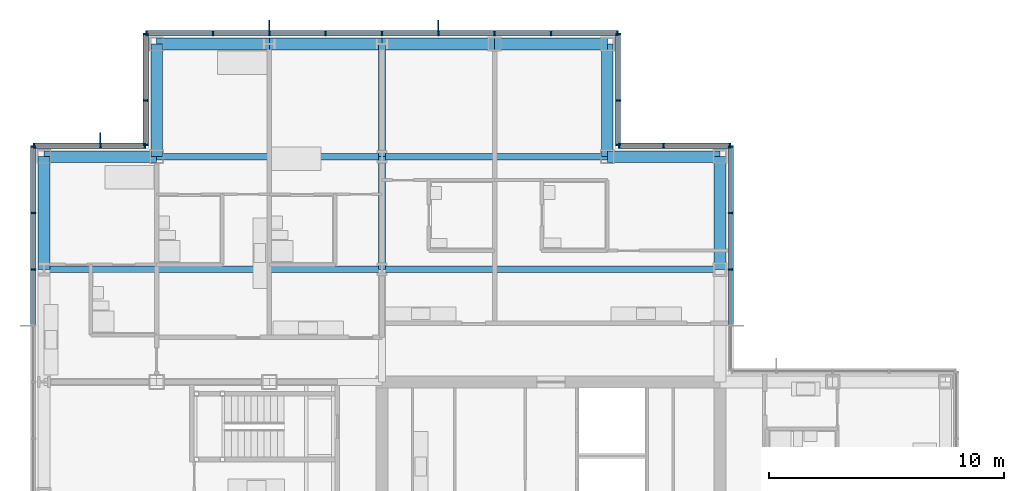
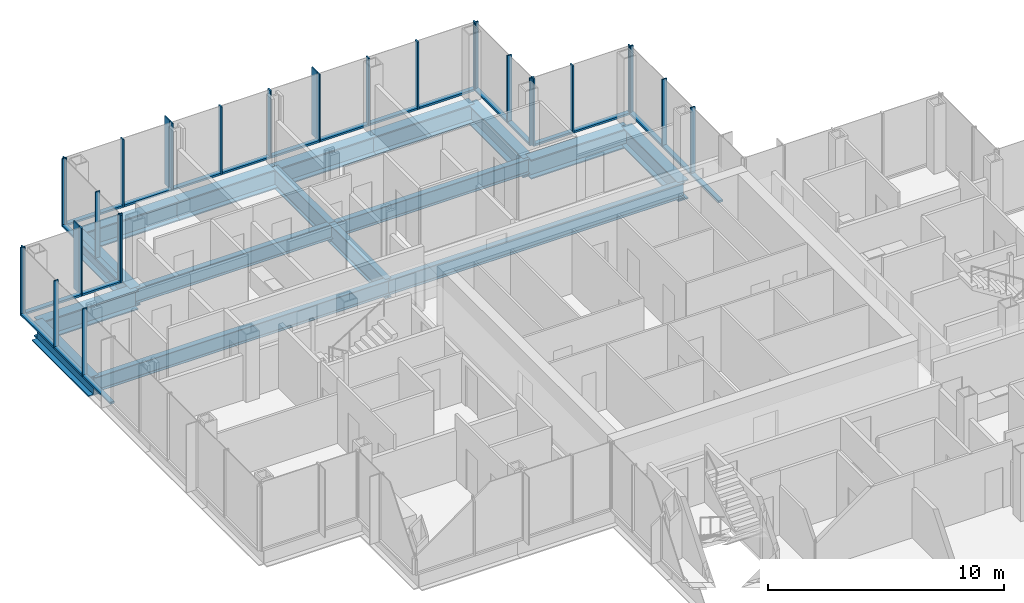
# One storey, part 10 of 19: 52 members, 16 beams, 7 elements without a shape of their own.
"""IFC4 building model written with IfcOpenShell, lengths in metres."""

import ifcopenshell
import ifcopenshell.guid

model = None  # the IFC model being written
_history = None  # IfcOwnerHistory: only IFC2X3 demands one
_inside = {}  # id of a spatial element -> (the spatial element, [elements in it])
_under = {}  # id of a project, library or spatial element -> (it, [spatial elements below it])
_declared = {}  # id of a project -> (the project, [libraries it declares])
_typed = {}  # id of a type object -> (the type object, [elements of that type])
_made_of = {}  # id of a material, layer set ... -> (it, [elements and type objects made of it])


def new_model(schema):
    """Start an empty IFC model of exactly this schema.

    Asked for "IFC4X3", IfcOpenShell would pick the latest addendum, in which some entities
    have other attributes; the version numbers below select the first issue.
    IFC2X3 requires an IfcOwnerHistory on every rooted entity: one is made here for all.
    """
    global model, _history
    if schema == "IFC4X3":
        model = ifcopenshell.file(schema_version=(4, 3, 0, 0))
    else:
        model = ifcopenshell.file(schema=schema)
    _inside.clear()
    _under.clear()
    _declared.clear()
    _typed.clear()
    _made_of.clear()
    _history = None
    if model.schema == "IFC2X3":
        org = make("IfcOrganization", Name="unknown")
        user = make(
            "IfcPersonAndOrganization",
            ThePerson=make("IfcPerson", FamilyName="unknown"),
            TheOrganization=org,
        )
        app = make(
            "IfcApplication",
            ApplicationDeveloper=org,
            Version="unknown",
            ApplicationFullName="unknown",
            ApplicationIdentifier="unknown",
        )
        _history = make(
            "IfcOwnerHistory",
            OwningUser=user,
            OwningApplication=app,
            ChangeAction="ADDED",
            CreationDate=0,
        )
    return model


def make(cls, **values):
    """One entity of the class cls with the attributes given. An attribute that is None is left unset."""
    return model.create_entity(
        cls, **{name: value for name, value in values.items() if value is not None}
    )


def rooted(cls, **values):
    """An entity with a GlobalId (a new one), such as an element, a storey or a relation."""
    return make(cls, GlobalId=ifcopenshell.guid.new(), OwnerHistory=_history, **values)


def si_unit(unit_type, name, prefix=None):
    """IfcSIUnit, for example si_unit("LENGTHUNIT", "METRE", prefix="MILLI")."""
    return make("IfcSIUnit", UnitType=unit_type, Prefix=prefix, Name=name)


def assignment(units):
    """IfcUnitAssignment: the units of a project."""
    return None if units is None else make("IfcUnitAssignment", Units=units)


def point(xyz):
    """IfcCartesianPoint."""
    return None if xyz is None else make("IfcCartesianPoint", Coordinates=xyz)


def direction(xyz):
    """IfcDirection."""
    return None if xyz is None else make("IfcDirection", DirectionRatios=xyz)


def frame(location, z_axis=None, x_axis=None):
    """IfcAxis2Placement3D, a coordinate frame: its origin and axes. An axis left out is left unset."""
    return make(
        "IfcAxis2Placement3D",
        Location=point(location),
        Axis=direction(z_axis),
        RefDirection=direction(x_axis),
    )


def frame_2d(location, x_axis=None):
    """IfcAxis2Placement2D, a coordinate frame in the plane: its origin and x axis."""
    return make(
        "IfcAxis2Placement2D", Location=point(location), RefDirection=direction(x_axis)
    )


def origin():
    """The frame at (0, 0, 0) with its axes left unset."""
    return frame((0.0, 0.0, 0.0))


def origin_2d():
    """The frame at (0, 0) in the plane with its x axis left unset."""
    return frame_2d((0.0, 0.0))


def place(relative_to, where):
    """IfcLocalPlacement: puts the frame where relative to a parent placement (None: the world)."""
    return make(
        "IfcLocalPlacement", PlacementRelTo=relative_to, RelativePlacement=where
    )


def context(
    kind, dimensions, precision=None, world=None, true_north=None, identifier=None
):
    """IfcGeometricRepresentationContext, for example the 3D "Model" context."""
    return make(
        "IfcGeometricRepresentationContext",
        ContextIdentifier=identifier,
        ContextType=kind,
        CoordinateSpaceDimension=dimensions,
        Precision=precision,
        WorldCoordinateSystem=world,
        TrueNorth=true_north,
    )


def subcontext(parent, identifier, kind, view, scale=None):
    """IfcGeometricRepresentationSubContext, for example "Body" below "Model"."""
    return make(
        "IfcGeometricRepresentationSubContext",
        ContextIdentifier=identifier,
        ContextType=kind,
        ParentContext=parent,
        TargetScale=scale,
        TargetView=view,
    )


def project(units=None, contexts=None):
    """IfcProject with its units and contexts."""
    return rooted(
        "IfcProject",
        Name="project",
        RepresentationContexts=contexts,
        UnitsInContext=assignment(units),
    )


def spatial(cls, under=None, at=None, **own):
    """A site, building, storey or space (cls), placed at a placement, below another one or the project."""
    s = rooted(cls, ObjectPlacement=at, **own)
    if under is not None:
        _under.setdefault(under.id(), (under, []))[1].append(s)
    return s


def profile(cls, at=None, kind="AREA", **sizes):
    """A parametric profile (cls). Its sizes go by their IFC names, for example OverallWidth=200.0."""
    return make(cls, ProfileType=kind, Position=at, **sizes)


def rectangle(**sizes):
    """IfcRectangleProfileDef."""
    return profile("IfcRectangleProfileDef", **sizes)


def i_section(**sizes):
    """IfcIShapeProfileDef."""
    return profile("IfcIShapeProfileDef", **sizes)


def extrude(swept, where, along, depth):
    """IfcExtrudedAreaSolid: the profile swept, set in the frame where, extruded along a direction by depth."""
    return make(
        "IfcExtrudedAreaSolid",
        SweptArea=swept,
        Position=where,
        ExtrudedDirection=direction(along),
        Depth=depth,
    )


def shape(context_of_items, identifier, shape_type, items):
    """IfcShapeRepresentation: the items that make up one representation, for example the "Body"."""
    return make(
        "IfcShapeRepresentation",
        ContextOfItems=context_of_items,
        RepresentationIdentifier=identifier,
        RepresentationType=shape_type,
        Items=items,
    )


def material(Name=None, Category=None):
    """IfcMaterial."""
    return make("IfcMaterial", Name=Name, Category=Category)


def material_profile(
    of_material, cross_section, Name=None, Category=None, Priority=None
):
    """IfcMaterialProfile: a cross section and its material."""
    return make(
        "IfcMaterialProfile",
        Name=Name,
        Material=of_material,
        Profile=cross_section,
        Priority=Priority,
        Category=Category,
    )


def profile_set(profiles, Name=None, composite=None):
    """IfcMaterialProfileSet."""
    return make(
        "IfcMaterialProfileSet",
        Name=Name,
        MaterialProfiles=profiles,
        CompositeProfile=composite,
    )


def made_of(thing, what):
    """Note that an element or type object is made of a material, layer set ...; save() writes the relation."""
    if what is not None:
        _made_of.setdefault(what.id(), (what, []))[1].append(thing)
    return thing


def type_object(cls, material=None, **own):
    """A type object (cls), such as IfcWallType, which elements share."""
    return made_of(rooted(cls, **own), material)


def element(
    cls,
    number,
    at=None,
    inside=None,
    cuts=None,
    type_object=None,
    material=None,
    context=None,
    identifier="Body",
    shape_type=None,
    held_by="IfcProductDefinitionShape",
    body=None,
    shapes=None,
    **own,
):
    """One element of the class cls, such as IfcWall. Its Tag is "e" and its number.

    at: its placement. inside: the storey or other place that contains it. cuts: it is an
    opening in that element (IfcRelVoidsElement). A single representation is given by context,
    identifier, shape_type and body (its items); several are given by shapes. held_by: the class
    of the entity that holds the representations. save() writes the other relations.
    """
    e = rooted(cls, Tag="e%d" % number, ObjectPlacement=at, **own)
    if body is not None:
        shapes = [shape(context, identifier, shape_type, body)]
    if shapes is not None:
        e.Representation = make(held_by, Representations=shapes)
    if inside is not None:
        _inside.setdefault(inside.id(), (inside, []))[1].append(e)
    if cuts is not None:
        rooted(
            "IfcRelVoidsElement", RelatingBuildingElement=cuts, RelatedOpeningElement=e
        )
    if type_object is not None:
        _typed.setdefault(type_object.id(), (type_object, []))[1].append(e)
    return made_of(e, material)


def aggregate(whole, parts):
    """IfcRelAggregates: a whole, such as a stair, and the parts it consists of."""
    return rooted("IfcRelAggregates", RelatingObject=whole, RelatedObjects=parts)


def save(model, path):
    """Write the relations noted so far, then the file.

    IfcRelAggregates (storeys below a building ...), IfcRelContainedInSpatialStructure (elements
    in a storey), IfcRelDefinesByType, IfcRelAssociatesMaterial and IfcRelDeclares: one each for
    every whole, place, type object, material and project.
    """
    for whole, parts in _under.values():
        aggregate(whole, parts)
    for where, things in _inside.values():
        rooted(
            "IfcRelContainedInSpatialStructure",
            RelatedElements=things,
            RelatingStructure=where,
        )
    for kind, things in _typed.values():
        rooted("IfcRelDefinesByType", RelatedObjects=things, RelatingType=kind)
    for what, things in _made_of.values():
        rooted("IfcRelAssociatesMaterial", RelatedObjects=things, RelatingMaterial=what)
    for by, libraries in _declared.values():
        rooted("IfcRelDeclares", RelatingContext=by, RelatedDefinitions=libraries)
    model.write(path)


model = new_model("IFC4")

# Units and contexts
model_context = context("Model", 3, precision=1e-05, world=origin(), true_north=direction((0.0, 1.0)))
body_context = subcontext(model_context, "Body", "Model", "MODEL_VIEW")
ifc_project = project(units=[si_unit("LENGTHUNIT", "METRE"), si_unit("AREAUNIT", "SQUARE_METRE"), si_unit("VOLUMEUNIT", "CUBIC_METRE"), si_unit("PLANEANGLEUNIT", "RADIAN"), si_unit("MASSUNIT", "GRAM", prefix="KILO")], contexts=[model_context])

# Site, building, storey
site_placement = place(None, origin())
site = spatial("IfcSite", under=ifc_project, at=site_placement, CompositionType="ELEMENT")
building_placement = place(site_placement, origin())
building = spatial("IfcBuilding", under=site, at=building_placement, Name="Kvirike Care Tower", CompositionType="ELEMENT")
storey_placement = place(building_placement, frame((0.0, 0.0, 108.5)))
storey = spatial("IfcBuildingStorey", under=building, at=storey_placement, Name="L29", CompositionType="ELEMENT", Elevation=108.5)

# Curtain wall, members
ifc_material_1 = material(Name="Anodised aluminium stick system", Category="aluminium")
curtain_wall_type = type_object("IfcCurtainWallType", Name="CW-B STICK CURTAIN WALL", PredefinedType="NOTDEFINED", material=ifc_material_1)
curtain_wall_1_placement = place(storey_placement, origin())
curtain_wall_1 = element("IfcCurtainWall", 1, at=curtain_wall_1_placement, inside=storey, type_object=curtain_wall_type, Name="Curtain wall L29 face 8", PredefinedType="NOTDEFINED")
ifc_material_2 = material(Name="Bronze anodised aluminium fin", Category="aluminium")
ifc_material_profile_1 = material_profile(ifc_material_2, rectangle(XDim=0.050048828125, YDim=0.449951171875, at=origin_2d()), Name="BRONZE FIN 450")
ifc_profile_set_1 = profile_set([ifc_material_profile_1], Name="Bronze anodised aluminium fin")
member_type_1 = type_object("IfcMemberType", Name="BRONZE FIN 450", PredefinedType="USERDEFINED", material=ifc_profile_set_1)
member_1_placement = place(storey_placement, frame((16.800048828125, 58.39501953125, 0.0), z_axis=(0.0, 0.0, 1.0), x_axis=(-1.0, 0.0, 0.0)))
member_1 = element("IfcMember", 2, at=member_1_placement, type_object=member_type_1, Name="Bronze fin L29 face 8.4", ObjectType="FIN", PredefinedType="USERDEFINED", context=body_context, shape_type="SweptSolid", body=[
    extrude(rectangle(XDim=0.050048828125, YDim=0.449951171875, at=origin_2d()), origin(), (0.0, 0.0, 1.0), 3.5),
])
member_2_placement = place(storey_placement, frame((9.60009765625, 58.39501953125, 0.0), z_axis=(0.0, 0.0, 1.0), x_axis=(-1.0, 0.0, 0.0)))
member_2 = element("IfcMember", 3, at=member_2_placement, type_object=member_type_1, Name="Bronze fin L29 face 8.7", ObjectType="FIN", PredefinedType="USERDEFINED", context=body_context, shape_type="SweptSolid", body=[
    extrude(rectangle(XDim=0.050048828125, YDim=0.449951171875, at=origin_2d()), origin(), (0.0, 0.0, 1.0), 3.5),
])

# Curtain wall, member
curtain_wall_2_placement = place(storey_placement, origin())
curtain_wall_2 = element("IfcCurtainWall", 4, at=curtain_wall_2_placement, inside=storey, type_object=curtain_wall_type, Name="Curtain wall L29 face 10", PredefinedType="NOTDEFINED")
member_3_placement = place(storey_placement, frame((2.39990234375, 53.594970703125, 0.0), z_axis=(0.0, 0.0, 1.0), x_axis=(-1.0, 0.0, 0.0)))
member_3 = element("IfcMember", 5, at=member_3_placement, type_object=member_type_1, Name="Bronze fin L29 face 10.2", ObjectType="FIN", PredefinedType="USERDEFINED", context=body_context, shape_type="SweptSolid", body=[
    extrude(rectangle(XDim=0.050048828125, YDim=0.449951171875, at=origin_2d()), origin(), (0.0, 0.0, 1.0), 3.5),
])

# Curtain wall, members
curtain_wall_3_placement = place(storey_placement, origin())
curtain_wall_3 = element("IfcCurtainWall", 6, at=curtain_wall_3_placement, inside=storey, type_object=curtain_wall_type, Name="Curtain wall L29 face 5", PredefinedType="NOTDEFINED")
ifc_material_3 = material(Name="Bronze anodised aluminium mullion", Category="aluminium")
ifc_material_profile_2 = material_profile(ifc_material_3, rectangle(XDim=0.06494140625, YDim=0.219970703125, at=origin_2d()), Name="CW-B MULLION 65x220")
ifc_profile_set_2 = profile_set([ifc_material_profile_2], Name="Bronze anodised aluminium mullion")
member_type_2 = type_object("IfcMemberType", Name="CW-B MULLION 65x220", PredefinedType="MULLION", material=ifc_profile_set_2)
member_4_placement = place(storey_placement, frame((29.260009765625, 48.0, 0.0), z_axis=(0.0, 0.0, 1.0), x_axis=(0.0, 1.0, 0.0)))
member_4 = element("IfcMember", 7, at=member_4_placement, type_object=member_type_2, Name="CW-B mullion L29 face 5.3", PredefinedType="MULLION", context=body_context, shape_type="SweptSolid", body=[
    extrude(rectangle(XDim=0.06494140625, YDim=0.219970703125, at=origin_2d()), origin(), (0.0, 0.0, 1.0), 3.5),
])
member_5_placement = place(storey_placement, frame((29.260009765625, 50.39990234375, 0.0), z_axis=(0.0, 0.0, 1.0), x_axis=(0.0, 1.0, 0.0)))
member_5 = element("IfcMember", 8, at=member_5_placement, type_object=member_type_2, Name="CW-B mullion L29 face 5.4", PredefinedType="MULLION", context=body_context, shape_type="SweptSolid", body=[
    extrude(rectangle(XDim=0.06494140625, YDim=0.219970703125, at=origin_2d()), origin(), (0.0, 0.0, 1.0), 3.5),
])
member_6_placement = place(storey_placement, frame((29.260009765625, 53.2275390625, 0.0), z_axis=(0.0, 0.0, 1.0), x_axis=(0.0, 1.0, 0.0)))
member_6 = element("IfcMember", 9, at=member_6_placement, type_object=member_type_2, Name="CW-B mullion L29 face 5.5", PredefinedType="MULLION", context=body_context, shape_type="SweptSolid", body=[
    extrude(rectangle(XDim=0.06494140625, YDim=0.219970703125, at=origin_2d()), origin(), (0.0, 0.0, 1.0), 3.5),
])

curtain_wall_4_placement = place(storey_placement, origin())
curtain_wall_4 = element("IfcCurtainWall", 10, at=curtain_wall_4_placement, inside=storey, type_object=curtain_wall_type, Name="Curtain wall L29 face 6", PredefinedType="NOTDEFINED")
member_7_placement = place(storey_placement, frame((29.2275390625, 53.260009765625, 0.0), z_axis=(0.0, 0.0, 1.0), x_axis=(-1.0, 0.0, 0.0)))
member_7 = element("IfcMember", 11, at=member_7_placement, type_object=member_type_2, Name="CW-B mullion L29 face 6.1", PredefinedType="MULLION", context=body_context, shape_type="SweptSolid", body=[
    extrude(rectangle(XDim=0.06494140625, YDim=0.219970703125, at=origin_2d()), origin(), (0.0, 0.0, 1.0), 3.5),
])
member_8_placement = place(storey_placement, frame((26.39990234375, 53.260009765625, 0.0), z_axis=(0.0, 0.0, 1.0), x_axis=(-1.0, 0.0, 0.0)))
member_8 = element("IfcMember", 12, at=member_8_placement, type_object=member_type_2, Name="CW-B mullion L29 face 6.2", PredefinedType="MULLION", context=body_context, shape_type="SweptSolid", body=[
    extrude(rectangle(XDim=0.06494140625, YDim=0.219970703125, at=origin_2d()), origin(), (0.0, 0.0, 1.0), 3.5),
])
member_9_placement = place(storey_placement, frame((24.492431640625, 53.260009765625, 0.0), z_axis=(0.0, 0.0, 1.0), x_axis=(-1.0, 0.0, 0.0)))
member_9 = element("IfcMember", 13, at=member_9_placement, type_object=member_type_2, Name="CW-B mullion L29 face 6.3", PredefinedType="MULLION", context=body_context, shape_type="SweptSolid", body=[
    extrude(rectangle(XDim=0.06494140625, YDim=0.219970703125, at=origin_2d()), origin(), (0.0, 0.0, 1.0), 3.5),
])

curtain_wall_5_placement = place(storey_placement, origin())
curtain_wall_5 = element("IfcCurtainWall", 14, at=curtain_wall_5_placement, inside=storey, type_object=curtain_wall_type, Name="Curtain wall L29 face 7", PredefinedType="NOTDEFINED")
member_10_placement = place(storey_placement, frame((24.4599609375, 53.29248046875, 0.0), z_axis=(0.0, 0.0, 1.0), x_axis=(0.0, 1.0, 0.0)))
member_10 = element("IfcMember", 15, at=member_10_placement, type_object=member_type_2, Name="CW-B mullion L29 face 7.1", PredefinedType="MULLION", context=body_context, shape_type="SweptSolid", body=[
    extrude(rectangle(XDim=0.06494140625, YDim=0.219970703125, at=origin_2d()), origin(), (0.0, 0.0, 1.0), 3.5),
])
member_11_placement = place(storey_placement, frame((24.4599609375, 55.199951171875, 0.0), z_axis=(0.0, 0.0, 1.0), x_axis=(0.0, 1.0, 0.0)))
member_11 = element("IfcMember", 16, at=member_11_placement, type_object=member_type_2, Name="CW-B mullion L29 face 7.2", PredefinedType="MULLION", context=body_context, shape_type="SweptSolid", body=[
    extrude(rectangle(XDim=0.06494140625, YDim=0.219970703125, at=origin_2d()), origin(), (0.0, 0.0, 1.0), 3.5),
])
member_12_placement = place(storey_placement, frame((24.4599609375, 58.027587890625, 0.0), z_axis=(0.0, 0.0, 1.0), x_axis=(0.0, 1.0, 0.0)))
member_12 = element("IfcMember", 17, at=member_12_placement, type_object=member_type_2, Name="CW-B mullion L29 face 7.3", PredefinedType="MULLION", context=body_context, shape_type="SweptSolid", body=[
    extrude(rectangle(XDim=0.06494140625, YDim=0.219970703125, at=origin_2d()), origin(), (0.0, 0.0, 1.0), 3.5),
])

# Member
member_13_placement = place(storey_placement, frame((24.427490234375, 58.06005859375, 0.0), z_axis=(0.0, 0.0, 1.0), x_axis=(-1.0, 0.0, 0.0)))
member_13 = element("IfcMember", 18, at=member_13_placement, type_object=member_type_2, Name="CW-B mullion L29 face 8.1", PredefinedType="MULLION", context=body_context, shape_type="SweptSolid", body=[
    extrude(rectangle(XDim=0.06494140625, YDim=0.219970703125, at=origin_2d()), origin(), (0.0, 0.0, 1.0), 3.5),
])

member_14_placement = place(storey_placement, frame((21.60009765625, 58.06005859375, 0.0), z_axis=(0.0, 0.0, 1.0), x_axis=(-1.0, 0.0, 0.0)))
member_14 = element("IfcMember", 19, at=member_14_placement, type_object=member_type_2, Name="CW-B mullion L29 face 8.2", PredefinedType="MULLION", context=body_context, shape_type="SweptSolid", body=[
    extrude(rectangle(XDim=0.06494140625, YDim=0.219970703125, at=origin_2d()), origin(), (0.0, 0.0, 1.0), 3.5),
])

member_15_placement = place(storey_placement, frame((19.199951171875, 58.06005859375, 0.0), z_axis=(0.0, 0.0, 1.0), x_axis=(-1.0, 0.0, 0.0)))
member_15 = element("IfcMember", 20, at=member_15_placement, type_object=member_type_2, Name="CW-B mullion L29 face 8.3", PredefinedType="MULLION", context=body_context, shape_type="SweptSolid", body=[
    extrude(rectangle(XDim=0.06494140625, YDim=0.219970703125, at=origin_2d()), origin(), (0.0, 0.0, 1.0), 3.5),
])

member_16_placement = place(storey_placement, frame((16.800048828125, 58.06005859375, 0.0), z_axis=(0.0, 0.0, 1.0), x_axis=(-1.0, 0.0, 0.0)))
member_16 = element("IfcMember", 21, at=member_16_placement, type_object=member_type_2, Name="CW-B mullion L29 face 8.4", PredefinedType="MULLION", context=body_context, shape_type="SweptSolid", body=[
    extrude(rectangle(XDim=0.06494140625, YDim=0.219970703125, at=origin_2d()), origin(), (0.0, 0.0, 1.0), 3.5),
])

member_17_placement = place(storey_placement, frame((14.39990234375, 58.06005859375, 0.0), z_axis=(0.0, 0.0, 1.0), x_axis=(-1.0, 0.0, 0.0)))
member_17 = element("IfcMember", 22, at=member_17_placement, type_object=member_type_2, Name="CW-B mullion L29 face 8.5", PredefinedType="MULLION", context=body_context, shape_type="SweptSolid", body=[
    extrude(rectangle(XDim=0.06494140625, YDim=0.219970703125, at=origin_2d()), origin(), (0.0, 0.0, 1.0), 3.5),
])

member_18_placement = place(storey_placement, frame((12.0, 58.06005859375, 0.0), z_axis=(0.0, 0.0, 1.0), x_axis=(-1.0, 0.0, 0.0)))
member_18 = element("IfcMember", 23, at=member_18_placement, type_object=member_type_2, Name="CW-B mullion L29 face 8.6", PredefinedType="MULLION", context=body_context, shape_type="SweptSolid", body=[
    extrude(rectangle(XDim=0.06494140625, YDim=0.219970703125, at=origin_2d()), origin(), (0.0, 0.0, 1.0), 3.5),
])

member_19_placement = place(storey_placement, frame((9.60009765625, 58.06005859375, 0.0), z_axis=(0.0, 0.0, 1.0), x_axis=(-1.0, 0.0, 0.0)))
member_19 = element("IfcMember", 24, at=member_19_placement, type_object=member_type_2, Name="CW-B mullion L29 face 8.7", PredefinedType="MULLION", context=body_context, shape_type="SweptSolid", body=[
    extrude(rectangle(XDim=0.06494140625, YDim=0.219970703125, at=origin_2d()), origin(), (0.0, 0.0, 1.0), 3.5),
])

member_20_placement = place(storey_placement, frame((7.199951171875, 58.06005859375, 0.0), z_axis=(0.0, 0.0, 1.0), x_axis=(-1.0, 0.0, 0.0)))
member_20 = element("IfcMember", 25, at=member_20_placement, type_object=member_type_2, Name="CW-B mullion L29 face 8.8", PredefinedType="MULLION", context=body_context, shape_type="SweptSolid", body=[
    extrude(rectangle(XDim=0.06494140625, YDim=0.219970703125, at=origin_2d()), origin(), (0.0, 0.0, 1.0), 3.5),
])

member_21_placement = place(storey_placement, frame((4.37255859375, 58.06005859375, 0.0), z_axis=(0.0, 0.0, 1.0), x_axis=(-1.0, 0.0, 0.0)))
member_21 = element("IfcMember", 26, at=member_21_placement, type_object=member_type_2, Name="CW-B mullion L29 face 8.9", PredefinedType="MULLION", context=body_context, shape_type="SweptSolid", body=[
    extrude(rectangle(XDim=0.06494140625, YDim=0.219970703125, at=origin_2d()), origin(), (0.0, 0.0, 1.0), 3.5),
])

# Curtain wall, members
curtain_wall_6_placement = place(storey_placement, origin())
curtain_wall_6 = element("IfcCurtainWall", 27, at=curtain_wall_6_placement, inside=storey, type_object=curtain_wall_type, Name="Curtain wall L29 face 9", PredefinedType="NOTDEFINED")
member_22_placement = place(storey_placement, frame((4.340087890625, 58.027587890625, 0.0), z_axis=(0.0, 0.0, 1.0), x_axis=(0.0, -1.0, 0.0)))
member_22 = element("IfcMember", 28, at=member_22_placement, type_object=member_type_2, Name="CW-B mullion L29 face 9.1", PredefinedType="MULLION", context=body_context, shape_type="SweptSolid", body=[
    extrude(rectangle(XDim=0.06494140625, YDim=0.219970703125, at=origin_2d()), origin(), (0.0, 0.0, 1.0), 3.5),
])
member_23_placement = place(storey_placement, frame((4.340087890625, 55.199951171875, 0.0), z_axis=(0.0, 0.0, 1.0), x_axis=(0.0, -1.0, 0.0)))
member_23 = element("IfcMember", 29, at=member_23_placement, type_object=member_type_2, Name="CW-B mullion L29 face 9.2", PredefinedType="MULLION", context=body_context, shape_type="SweptSolid", body=[
    extrude(rectangle(XDim=0.06494140625, YDim=0.219970703125, at=origin_2d()), origin(), (0.0, 0.0, 1.0), 3.5),
])
member_24_placement = place(storey_placement, frame((4.340087890625, 53.29248046875, 0.0), z_axis=(0.0, 0.0, 1.0), x_axis=(0.0, -1.0, 0.0)))
member_24 = element("IfcMember", 30, at=member_24_placement, type_object=member_type_2, Name="CW-B mullion L29 face 9.3", PredefinedType="MULLION", context=body_context, shape_type="SweptSolid", body=[
    extrude(rectangle(XDim=0.06494140625, YDim=0.219970703125, at=origin_2d()), origin(), (0.0, 0.0, 1.0), 3.5),
])

# Member
member_25_placement = place(storey_placement, frame((4.3076171875, 53.260009765625, 0.0), z_axis=(0.0, 0.0, 1.0), x_axis=(-1.0, 0.0, 0.0)))
member_25 = element("IfcMember", 31, at=member_25_placement, type_object=member_type_2, Name="CW-B mullion L29 face 10.1", PredefinedType="MULLION", context=body_context, shape_type="SweptSolid", body=[
    extrude(rectangle(XDim=0.06494140625, YDim=0.219970703125, at=origin_2d()), origin(), (0.0, 0.0, 1.0), 3.5),
])

member_26_placement = place(storey_placement, frame((2.39990234375, 53.260009765625, 0.0), z_axis=(0.0, 0.0, 1.0), x_axis=(-1.0, 0.0, 0.0)))
member_26 = element("IfcMember", 32, at=member_26_placement, type_object=member_type_2, Name="CW-B mullion L29 face 10.2", PredefinedType="MULLION", context=body_context, shape_type="SweptSolid", body=[
    extrude(rectangle(XDim=0.06494140625, YDim=0.219970703125, at=origin_2d()), origin(), (0.0, 0.0, 1.0), 3.5),
])

member_27_placement = place(storey_placement, frame((-0.427490234375, 53.260009765625, 0.0), z_axis=(0.0, 0.0, 1.0), x_axis=(-1.0, 0.0, 0.0)))
member_27 = element("IfcMember", 33, at=member_27_placement, type_object=member_type_2, Name="CW-B mullion L29 face 10.3", PredefinedType="MULLION", context=body_context, shape_type="SweptSolid", body=[
    extrude(rectangle(XDim=0.06494140625, YDim=0.219970703125, at=origin_2d()), origin(), (0.0, 0.0, 1.0), 3.5),
])

# Curtain wall, members
curtain_wall_7_placement = place(storey_placement, origin())
curtain_wall_7 = element("IfcCurtainWall", 34, at=curtain_wall_7_placement, inside=storey, type_object=curtain_wall_type, Name="Curtain wall L29 face 11", PredefinedType="NOTDEFINED")
member_28_placement = place(storey_placement, frame((-0.4599609375, 53.2275390625, 0.0), z_axis=(0.0, 0.0, 1.0), x_axis=(0.0, -1.0, 0.0)))
member_28 = element("IfcMember", 35, at=member_28_placement, type_object=member_type_2, Name="CW-B mullion L29 face 11.1", PredefinedType="MULLION", context=body_context, shape_type="SweptSolid", body=[
    extrude(rectangle(XDim=0.06494140625, YDim=0.219970703125, at=origin_2d()), origin(), (0.0, 0.0, 1.0), 3.5),
])
member_29_placement = place(storey_placement, frame((-0.4599609375, 50.39990234375, 0.0), z_axis=(0.0, 0.0, 1.0), x_axis=(0.0, -1.0, 0.0)))
member_29 = element("IfcMember", 36, at=member_29_placement, type_object=member_type_2, Name="CW-B mullion L29 face 11.2", PredefinedType="MULLION", context=body_context, shape_type="SweptSolid", body=[
    extrude(rectangle(XDim=0.06494140625, YDim=0.219970703125, at=origin_2d()), origin(), (0.0, 0.0, 1.0), 3.5),
])
member_30_placement = place(storey_placement, frame((-0.4599609375, 48.0, 0.0), z_axis=(0.0, 0.0, 1.0), x_axis=(0.0, -1.0, 0.0)))
member_30 = element("IfcMember", 37, at=member_30_placement, type_object=member_type_2, Name="CW-B mullion L29 face 11.3", PredefinedType="MULLION", context=body_context, shape_type="SweptSolid", body=[
    extrude(rectangle(XDim=0.06494140625, YDim=0.219970703125, at=origin_2d()), origin(), (0.0, 0.0, 1.0), 3.5),
])

# Member
ifc_material_4 = material(Name="Bronze anodised aluminium transom", Category="aluminium")
ifc_material_profile_3 = material_profile(ifc_material_4, rectangle(XDim=0.219970703125, YDim=0.10009765625, at=origin_2d()), Name="CW-B TRANSOM 220x100")
ifc_profile_set_3 = profile_set([ifc_material_profile_3], Name="Bronze anodised aluminium transom")
member_type_3 = type_object("IfcMemberType", Name="CW-B TRANSOM 220x100", PredefinedType="USERDEFINED", material=ifc_profile_set_3)
member_31_placement = place(storey_placement, frame((29.260009765625, 45.632568359375, 0.050048828125), z_axis=(0.0, 1.0, 0.0), x_axis=(-1.0, 0.0, 0.0)))
member_31 = element("IfcMember", 38, at=member_31_placement, type_object=member_type_3, Name="CW-B sill transom L29 face 5.2", ObjectType="TRANSOM", PredefinedType="USERDEFINED", context=body_context, shape_type="SweptSolid", body=[
    extrude(rectangle(XDim=0.219970703125, YDim=0.10009765625, at=origin_2d()), origin(), (0.0, 0.0, 1.0), 2.3349609375),
])

member_32_placement = place(storey_placement, frame((29.260009765625, 48.032470703125, 0.050048828125), z_axis=(0.0, 1.0, 0.0), x_axis=(-1.0, 0.0, 0.0)))
member_32 = element("IfcMember", 39, at=member_32_placement, type_object=member_type_3, Name="CW-B sill transom L29 face 5.3", ObjectType="TRANSOM", PredefinedType="USERDEFINED", context=body_context, shape_type="SweptSolid", body=[
    extrude(rectangle(XDim=0.219970703125, YDim=0.10009765625, at=origin_2d()), origin(), (0.0, 0.0, 1.0), 2.3349609375),
])

member_33_placement = place(storey_placement, frame((29.260009765625, 50.4326171875, 0.050048828125), z_axis=(0.0, 1.0, 0.0), x_axis=(-1.0, 0.0, 0.0)))
member_33 = element("IfcMember", 40, at=member_33_placement, type_object=member_type_3, Name="CW-B sill transom L29 face 5.4", ObjectType="TRANSOM", PredefinedType="USERDEFINED", context=body_context, shape_type="SweptSolid", body=[
    extrude(rectangle(XDim=0.219970703125, YDim=0.10009765625, at=origin_2d()), origin(), (0.0, 0.0, 1.0), 2.762451171875),
])

aggregate(curtain_wall_3, [member_4, member_5, member_6, member_31, member_32, member_33])

member_34_placement = place(storey_placement, frame((29.195068359375, 53.260009765625, 0.050048828125), z_axis=(-1.0, 0.0, 0.0), x_axis=(0.0, -1.0, 0.0)))
member_34 = element("IfcMember", 41, at=member_34_placement, type_object=member_type_3, Name="CW-B sill transom L29 face 6.1", ObjectType="TRANSOM", PredefinedType="USERDEFINED", context=body_context, shape_type="SweptSolid", body=[
    extrude(rectangle(XDim=0.219970703125, YDim=0.10009765625, at=origin_2d()), origin(), (0.0, 0.0, 1.0), 2.762451171875),
])

member_35_placement = place(storey_placement, frame((26.367431640625, 53.260009765625, 0.050048828125), z_axis=(-1.0, 0.0, 0.0), x_axis=(0.0, -1.0, 0.0)))
member_35 = element("IfcMember", 42, at=member_35_placement, type_object=member_type_3, Name="CW-B sill transom L29 face 6.2", ObjectType="TRANSOM", PredefinedType="USERDEFINED", context=body_context, shape_type="SweptSolid", body=[
    extrude(rectangle(XDim=0.219970703125, YDim=0.10009765625, at=origin_2d()), origin(), (0.0, 0.0, 1.0), 1.842529296875),
])

aggregate(curtain_wall_4, [member_7, member_8, member_9, member_34, member_35])

member_36_placement = place(storey_placement, frame((24.4599609375, 53.324951171875, 0.050048828125), z_axis=(0.0, 1.0, 0.0), x_axis=(-1.0, 0.0, 0.0)))
member_36 = element("IfcMember", 43, at=member_36_placement, type_object=member_type_3, Name="CW-B sill transom L29 face 7.1", ObjectType="TRANSOM", PredefinedType="USERDEFINED", context=body_context, shape_type="SweptSolid", body=[
    extrude(rectangle(XDim=0.219970703125, YDim=0.10009765625, at=origin_2d()), origin(), (0.0, 0.0, 1.0), 1.842529296875),
])

member_37_placement = place(storey_placement, frame((24.4599609375, 55.232421875, 0.050048828125), z_axis=(0.0, 1.0, 0.0), x_axis=(-1.0, 0.0, 0.0)))
member_37 = element("IfcMember", 44, at=member_37_placement, type_object=member_type_3, Name="CW-B sill transom L29 face 7.2", ObjectType="TRANSOM", PredefinedType="USERDEFINED", context=body_context, shape_type="SweptSolid", body=[
    extrude(rectangle(XDim=0.219970703125, YDim=0.10009765625, at=origin_2d()), origin(), (0.0, 0.0, 1.0), 2.7626953125),
])

aggregate(curtain_wall_5, [member_10, member_11, member_12, member_36, member_37])

member_38_placement = place(storey_placement, frame((24.39501953125, 58.06005859375, 0.050048828125), z_axis=(-1.0, 0.0, 0.0), x_axis=(0.0, -1.0, 0.0)))
member_38 = element("IfcMember", 45, at=member_38_placement, type_object=member_type_3, Name="CW-B sill transom L29 face 8.1", ObjectType="TRANSOM", PredefinedType="USERDEFINED", context=body_context, shape_type="SweptSolid", body=[
    extrude(rectangle(XDim=0.219970703125, YDim=0.10009765625, at=origin_2d()), origin(), (0.0, 0.0, 1.0), 2.762451171875),
])

member_39_placement = place(storey_placement, frame((21.5673828125, 58.06005859375, 0.050048828125), z_axis=(-1.0, 0.0, 0.0), x_axis=(0.0, -1.0, 0.0)))
member_39 = element("IfcMember", 46, at=member_39_placement, type_object=member_type_3, Name="CW-B sill transom L29 face 8.2", ObjectType="TRANSOM", PredefinedType="USERDEFINED", context=body_context, shape_type="SweptSolid", body=[
    extrude(rectangle(XDim=0.219970703125, YDim=0.10009765625, at=origin_2d()), origin(), (0.0, 0.0, 1.0), 2.3349609375),
])

member_40_placement = place(storey_placement, frame((19.16748046875, 58.06005859375, 0.050048828125), z_axis=(-1.0, 0.0, 0.0), x_axis=(0.0, -1.0, 0.0)))
member_40 = element("IfcMember", 47, at=member_40_placement, type_object=member_type_3, Name="CW-B sill transom L29 face 8.3", ObjectType="TRANSOM", PredefinedType="USERDEFINED", context=body_context, shape_type="SweptSolid", body=[
    extrude(rectangle(XDim=0.219970703125, YDim=0.10009765625, at=origin_2d()), origin(), (0.0, 0.0, 1.0), 2.3349609375),
])

member_41_placement = place(storey_placement, frame((16.767578125, 58.06005859375, 0.050048828125), z_axis=(-1.0, 0.0, 0.0), x_axis=(0.0, -1.0, 0.0)))
member_41 = element("IfcMember", 48, at=member_41_placement, type_object=member_type_3, Name="CW-B sill transom L29 face 8.4", ObjectType="TRANSOM", PredefinedType="USERDEFINED", context=body_context, shape_type="SweptSolid", body=[
    extrude(rectangle(XDim=0.219970703125, YDim=0.10009765625, at=origin_2d()), origin(), (0.0, 0.0, 1.0), 2.3349609375),
])

member_42_placement = place(storey_placement, frame((14.367431640625, 58.06005859375, 0.050048828125), z_axis=(-1.0, 0.0, 0.0), x_axis=(0.0, -1.0, 0.0)))
member_42 = element("IfcMember", 49, at=member_42_placement, type_object=member_type_3, Name="CW-B sill transom L29 face 8.5", ObjectType="TRANSOM", PredefinedType="USERDEFINED", context=body_context, shape_type="SweptSolid", body=[
    extrude(rectangle(XDim=0.219970703125, YDim=0.10009765625, at=origin_2d()), origin(), (0.0, 0.0, 1.0), 2.3349609375),
])

member_43_placement = place(storey_placement, frame((11.967529296875, 58.06005859375, 0.050048828125), z_axis=(-1.0, 0.0, 0.0), x_axis=(0.0, -1.0, 0.0)))
member_43 = element("IfcMember", 50, at=member_43_placement, type_object=member_type_3, Name="CW-B sill transom L29 face 8.6", ObjectType="TRANSOM", PredefinedType="USERDEFINED", context=body_context, shape_type="SweptSolid", body=[
    extrude(rectangle(XDim=0.219970703125, YDim=0.10009765625, at=origin_2d()), origin(), (0.0, 0.0, 1.0), 2.3349609375),
])

member_44_placement = place(storey_placement, frame((9.5673828125, 58.06005859375, 0.050048828125), z_axis=(-1.0, 0.0, 0.0), x_axis=(0.0, -1.0, 0.0)))
member_44 = element("IfcMember", 51, at=member_44_placement, type_object=member_type_3, Name="CW-B sill transom L29 face 8.7", ObjectType="TRANSOM", PredefinedType="USERDEFINED", context=body_context, shape_type="SweptSolid", body=[
    extrude(rectangle(XDim=0.219970703125, YDim=0.10009765625, at=origin_2d()), origin(), (0.0, 0.0, 1.0), 2.3349609375),
])

member_45_placement = place(storey_placement, frame((7.16748046875, 58.06005859375, 0.050048828125), z_axis=(-1.0, 0.0, 0.0), x_axis=(0.0, -1.0, 0.0)))
member_45 = element("IfcMember", 52, at=member_45_placement, type_object=member_type_3, Name="CW-B sill transom L29 face 8.8", ObjectType="TRANSOM", PredefinedType="USERDEFINED", context=body_context, shape_type="SweptSolid", body=[
    extrude(rectangle(XDim=0.219970703125, YDim=0.10009765625, at=origin_2d()), origin(), (0.0, 0.0, 1.0), 2.762451171875),
])

aggregate(curtain_wall_1, [member_13, member_14, member_15, member_16, member_1, member_17, member_18, member_19, member_2, member_20, member_21, member_38, member_39, member_40, member_41, member_42, member_43, member_44, member_45])

member_46_placement = place(storey_placement, frame((4.340087890625, 57.9951171875, 0.050048828125), z_axis=(0.0, -1.0, 0.0), x_axis=(1.0, 0.0, 0.0)))
member_46 = element("IfcMember", 53, at=member_46_placement, type_object=member_type_3, Name="CW-B sill transom L29 face 9.1", ObjectType="TRANSOM", PredefinedType="USERDEFINED", context=body_context, shape_type="SweptSolid", body=[
    extrude(rectangle(XDim=0.219970703125, YDim=0.10009765625, at=origin_2d()), origin(), (0.0, 0.0, 1.0), 2.7626953125),
])

member_47_placement = place(storey_placement, frame((4.340087890625, 55.16748046875, 0.050048828125), z_axis=(0.0, -1.0, 0.0), x_axis=(1.0, 0.0, 0.0)))
member_47 = element("IfcMember", 54, at=member_47_placement, type_object=member_type_3, Name="CW-B sill transom L29 face 9.2", ObjectType="TRANSOM", PredefinedType="USERDEFINED", context=body_context, shape_type="SweptSolid", body=[
    extrude(rectangle(XDim=0.219970703125, YDim=0.10009765625, at=origin_2d()), origin(), (0.0, 0.0, 1.0), 1.842529296875),
])

aggregate(curtain_wall_6, [member_22, member_23, member_24, member_46, member_47])

member_48_placement = place(storey_placement, frame((4.27490234375, 53.260009765625, 0.050048828125), z_axis=(-1.0, 0.0, 0.0), x_axis=(0.0, -1.0, 0.0)))
member_48 = element("IfcMember", 55, at=member_48_placement, type_object=member_type_3, Name="CW-B sill transom L29 face 10.1", ObjectType="TRANSOM", PredefinedType="USERDEFINED", context=body_context, shape_type="SweptSolid", body=[
    extrude(rectangle(XDim=0.219970703125, YDim=0.10009765625, at=origin_2d()), origin(), (0.0, 0.0, 1.0), 1.84228515625),
])

member_49_placement = place(storey_placement, frame((2.367431640625, 53.260009765625, 0.050048828125), z_axis=(-1.0, 0.0, 0.0), x_axis=(0.0, -1.0, 0.0)))
member_49 = element("IfcMember", 56, at=member_49_placement, type_object=member_type_3, Name="CW-B sill transom L29 face 10.2", ObjectType="TRANSOM", PredefinedType="USERDEFINED", context=body_context, shape_type="SweptSolid", body=[
    extrude(rectangle(XDim=0.219970703125, YDim=0.10009765625, at=origin_2d()), origin(), (0.0, 0.0, 1.0), 2.762451171875),
])

aggregate(curtain_wall_2, [member_25, member_26, member_3, member_27, member_48, member_49])

member_50_placement = place(storey_placement, frame((-0.4599609375, 53.195068359375, 0.050048828125), z_axis=(0.0, -1.0, 0.0), x_axis=(1.0, 0.0, 0.0)))
member_50 = element("IfcMember", 57, at=member_50_placement, type_object=member_type_3, Name="CW-B sill transom L29 face 11.1", ObjectType="TRANSOM", PredefinedType="USERDEFINED", context=body_context, shape_type="SweptSolid", body=[
    extrude(rectangle(XDim=0.219970703125, YDim=0.10009765625, at=origin_2d()), origin(), (0.0, 0.0, 1.0), 2.762451171875),
])

member_51_placement = place(storey_placement, frame((-0.4599609375, 50.367431640625, 0.050048828125), z_axis=(0.0, -1.0, 0.0), x_axis=(1.0, 0.0, 0.0)))
member_51 = element("IfcMember", 58, at=member_51_placement, type_object=member_type_3, Name="CW-B sill transom L29 face 11.2", ObjectType="TRANSOM", PredefinedType="USERDEFINED", context=body_context, shape_type="SweptSolid", body=[
    extrude(rectangle(XDim=0.219970703125, YDim=0.10009765625, at=origin_2d()), origin(), (0.0, 0.0, 1.0), 2.3349609375),
])

member_52_placement = place(storey_placement, frame((-0.4599609375, 47.967529296875, 0.050048828125), z_axis=(0.0, -1.0, 0.0), x_axis=(1.0, 0.0, 0.0)))
member_52 = element("IfcMember", 59, at=member_52_placement, type_object=member_type_3, Name="CW-B sill transom L29 face 11.3", ObjectType="TRANSOM", PredefinedType="USERDEFINED", context=body_context, shape_type="SweptSolid", body=[
    extrude(rectangle(XDim=0.219970703125, YDim=0.10009765625, at=origin_2d()), origin(), (0.0, 0.0, 1.0), 2.3349609375),
])

aggregate(curtain_wall_7, [member_28, member_29, member_30, member_50, member_51, member_52])

# Beams
ifc_material_5 = material(Name="Steel S355", Category="steel")
ifc_material_profile_4 = material_profile(ifc_material_5, i_section(OverallWidth=0.26806640625, OverallDepth=0.77001953125, WebThickness=0.015625, FlangeThickness=0.025390625, FilletRadius=0.01708984375, at=origin_2d()), Name="IPE 750x196")
ifc_profile_set_4 = profile_set([ifc_material_profile_4], Name="Steel S355")
beam_type_1 = type_object("IfcBeamType", Name="FLOOR BEAM IPE 750x196", PredefinedType="BEAM", material=ifc_profile_set_4)
beam_1_placement = place(storey_placement, frame((0.0, 48.0, -0.554931640625), z_axis=(1.0, 0.0, 0.0), x_axis=(0.0, 1.0, 0.0)))
element("IfcBeam", 60, at=beam_1_placement, inside=storey, type_object=beam_type_1, Name="Floor Beam L3-L6 L29", PredefinedType="BEAM", context=body_context, shape_type="SweptSolid", body=[
    extrude(i_section(OverallWidth=0.26806640625, OverallDepth=0.77001953125, WebThickness=0.015625, FlangeThickness=0.025390625, FilletRadius=0.01708984375, at=origin_2d()), origin(), (0.0, 0.0, 1.0), 14.39990234375),
])
beam_2_placement = place(storey_placement, frame((14.39990234375, 48.0, -0.554931640625), z_axis=(1.0, 0.0, 0.0), x_axis=(0.0, 1.0, 0.0)))
element("IfcBeam", 61, at=beam_2_placement, inside=storey, type_object=beam_type_1, Name="Floor Beam L6-L9 L29", PredefinedType="BEAM", context=body_context, shape_type="SweptSolid", body=[
    extrude(i_section(OverallWidth=0.26806640625, OverallDepth=0.77001953125, WebThickness=0.015625, FlangeThickness=0.025390625, FilletRadius=0.01708984375, at=origin_2d()), origin(), (0.0, 0.0, 1.0), 14.400146484375),
])
beam_3_placement = place(storey_placement, frame((4.800048828125, 52.800048828125, -0.554931640625), z_axis=(1.0, 0.0, 0.0), x_axis=(0.0, 1.0, 0.0)))
element("IfcBeam", 62, at=beam_3_placement, inside=storey, type_object=beam_type_1, Name="Floor Beam M4-M6 L29", PredefinedType="BEAM", context=body_context, shape_type="SweptSolid", body=[
    extrude(i_section(OverallWidth=0.26806640625, OverallDepth=0.77001953125, WebThickness=0.015625, FlangeThickness=0.025390625, FilletRadius=0.01708984375, at=origin_2d()), origin(), (0.0, 0.0, 1.0), 9.599853515625),
])
beam_4_placement = place(storey_placement, frame((14.39990234375, 52.800048828125, -0.554931640625), z_axis=(1.0, 0.0, 0.0), x_axis=(0.0, 1.0, 0.0)))
element("IfcBeam", 63, at=beam_4_placement, inside=storey, type_object=beam_type_1, Name="Floor Beam M6-M8 L29", PredefinedType="BEAM", context=body_context, shape_type="SweptSolid", body=[
    extrude(i_section(OverallWidth=0.26806640625, OverallDepth=0.77001953125, WebThickness=0.015625, FlangeThickness=0.025390625, FilletRadius=0.01708984375, at=origin_2d()), origin(), (0.0, 0.0, 1.0), 9.60009765625),
])
ifc_material_6 = material(Name="Steel S355", Category="steel")
ifc_material_profile_5 = material_profile(ifc_material_6, i_section(OverallWidth=0.300048828125, OverallDepth=1.0, WebThickness=0.01904296875, FlangeThickness=0.035888671875, FilletRadius=0.030029296875, at=origin_2d()), Name="HE 1000 B")
ifc_profile_set_5 = profile_set([ifc_material_profile_5], Name="Steel S355")
beam_type_2 = type_object("IfcBeamType", Name="FRAME BEAM HE 1000 B", PredefinedType="BEAM", material=ifc_profile_set_5)
for number, where, z_axis, x_axis, name in (
    (64, (14.39990234375, 48.0, -0.669921875), (0.0, 1.0, 0.0), (-1.0, 0.0, 0.0), "Frame Beam L6-M6 L29"),
    (65, (14.39990234375, 52.800048828125, -0.669921875), (0.0, 1.0, 0.0), (-1.0, 0.0, 0.0), "Frame Beam M6-N6 L29"),
):
    element("IfcBeam", number, at=place(storey_placement, frame(where, z_axis=z_axis, x_axis=x_axis)), inside=storey, type_object=beam_type_2, Name=name, PredefinedType="BEAM", context=body_context, shape_type="SweptSolid", body=[
        extrude(i_section(OverallWidth=0.300048828125, OverallDepth=1.0, WebThickness=0.01904296875, FlangeThickness=0.035888671875, FilletRadius=0.030029296875, at=origin_2d()), origin(), (0.0, 0.0, 1.0), 4.800048828125),
    ])
ifc_material_7 = material(Name="Steel S355", Category="steel")
ifc_material_profile_6 = material_profile(ifc_material_7, i_section(OverallWidth=0.5, OverallDepth=1.0, WebThickness=0.030029296875, FlangeThickness=0.06005859375, at=origin_2d()), Name="PG 1000x500x30x60")
ifc_profile_set_6 = profile_set([ifc_material_profile_6], Name="Steel S355")
beam_type_3 = type_object("IfcBeamType", Name="SPANDREL PG 1000x500x30x60", PredefinedType="SPANDREL", material=ifc_profile_set_6)
for number, where, z_axis, x_axis, name in (
    (66, (0.0, 52.800048828125, -0.669921875), (1.0, 0.0, 0.0), (0.0, 1.0, 0.0), "Spandrel M3-M4 L29"),
    (67, (24.0, 52.800048828125, -0.669921875), (1.0, 0.0, 0.0), (0.0, 1.0, 0.0), "Spandrel M8-M9 L29"),
    (68, (4.800048828125, 57.60009765625, -0.669921875), (1.0, 0.0, 0.0), (0.0, 1.0, 0.0), "Spandrel N4-N5 L29"),
):
    element("IfcBeam", number, at=place(storey_placement, frame(where, z_axis=z_axis, x_axis=x_axis)), inside=storey, type_object=beam_type_3, Name=name, PredefinedType="SPANDREL", context=body_context, shape_type="SweptSolid", body=[
        extrude(i_section(OverallWidth=0.5, OverallDepth=1.0, WebThickness=0.030029296875, FlangeThickness=0.06005859375, at=origin_2d()), origin(), (0.0, 0.0, 1.0), 4.800048828125),
    ])
beam_5_placement = place(storey_placement, frame((9.60009765625, 57.60009765625, -0.669921875), z_axis=(1.0, 0.0, 0.0), x_axis=(0.0, 1.0, 0.0)))
element("IfcBeam", 69, at=beam_5_placement, inside=storey, type_object=beam_type_3, Name="Spandrel N5-N6 L29", PredefinedType="SPANDREL", context=body_context, shape_type="SweptSolid", body=[
    extrude(i_section(OverallWidth=0.5, OverallDepth=1.0, WebThickness=0.030029296875, FlangeThickness=0.06005859375, at=origin_2d()), origin(), (0.0, 0.0, 1.0), 4.7998046875),
])
for number, where, z_axis, x_axis, name in (
    (70, (14.39990234375, 57.60009765625, -0.669921875), (1.0, 0.0, 0.0), (0.0, 1.0, 0.0), "Spandrel N6-N7 L29"),
    (71, (19.199951171875, 57.60009765625, -0.669921875), (1.0, 0.0, 0.0), (0.0, 1.0, 0.0), "Spandrel N7-N8 L29"),
    (72, (0.0, 48.0, -0.669921875), (0.0, 1.0, 0.0), (-1.0, 0.0, 0.0), "Spandrel L3-M3 L29"),
    (73, (4.800048828125, 52.800048828125, -0.669921875), (0.0, 1.0, 0.0), (-1.0, 0.0, 0.0), "Spandrel M4-N4 L29"),
    (74, (24.0, 52.800048828125, -0.669921875), (0.0, 1.0, 0.0), (-1.0, 0.0, 0.0), "Spandrel M8-N8 L29"),
    (75, (28.800048828125, 48.0, -0.669921875), (0.0, 1.0, 0.0), (-1.0, 0.0, 0.0), "Spandrel L9-M9 L29"),
):
    element("IfcBeam", number, at=place(storey_placement, frame(where, z_axis=z_axis, x_axis=x_axis)), inside=storey, type_object=beam_type_3, Name=name, PredefinedType="SPANDREL", context=body_context, shape_type="SweptSolid", body=[
        extrude(i_section(OverallWidth=0.5, OverallDepth=1.0, WebThickness=0.030029296875, FlangeThickness=0.06005859375, at=origin_2d()), origin(), (0.0, 0.0, 1.0), 4.800048828125),
    ])

save(model, "model.ifc")
